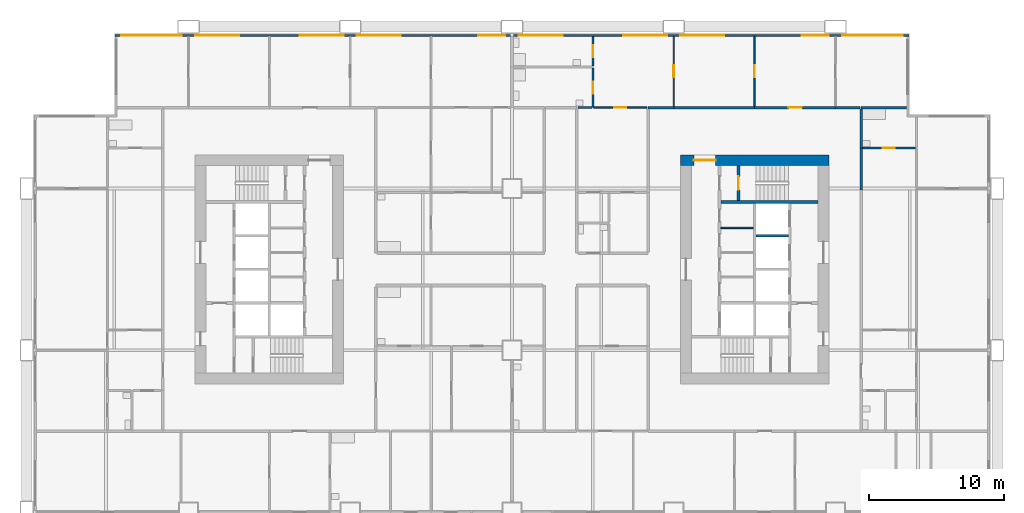
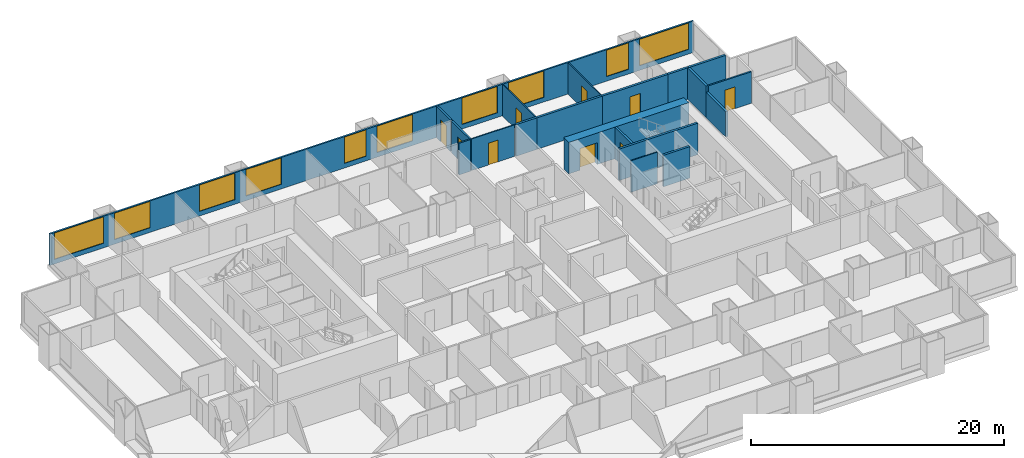
# One storey, part 9 of 13: 20 walls, 10 windows, 9 doors, 19 openings.
"""IFC4 building model written with IfcOpenShell, lengths in metres."""

from ifc_helpers import new_model, si_unit, direction, frame, frame_2d, origin, place, context, subcontext, project, spatial, rectangle, extrude, material, layer, layer_set, type_object, element, fill, save


model = new_model("IFC4")

# Units and contexts
model_context = context("Model", 3, precision=1e-05, world=origin(), true_north=direction((0.0, 1.0)))
body_context = subcontext(model_context, "Body", "Model", "MODEL_VIEW")
ifc_project = project(units=[si_unit("LENGTHUNIT", "METRE"), si_unit("AREAUNIT", "SQUARE_METRE"), si_unit("VOLUMEUNIT", "CUBIC_METRE"), si_unit("PLANEANGLEUNIT", "RADIAN"), si_unit("MASSUNIT", "GRAM", prefix="KILO")], contexts=[model_context])

# Site, building, storey
site_placement = place(None, origin())
site = spatial("IfcSite", under=ifc_project, at=site_placement, CompositionType="ELEMENT")
building_placement = place(site_placement, origin())
building = spatial("IfcBuilding", under=site, at=building_placement, Name="Kitamizu Gate Tower and Museum", CompositionType="ELEMENT")
storey_placement = place(building_placement, frame((0.0, 0.0, 78.300048828125)))
storey = spatial("IfcBuildingStorey", under=building, at=storey_placement, Name="L19", CompositionType="ELEMENT", Elevation=78.300048828125)

# Wall, opening, door
ifc_material_1 = material(Name="Concrete Fc60", Category="concrete")
ifc_layer_1 = layer(ifc_material_1, 0.800048828125)
ifc_layer_set_1 = layer_set([ifc_layer_1], Name="Concrete Fc60")
wall_type_1 = type_object("IfcWallType", Name="Core wall 800", PredefinedType="SHEAR", material=ifc_layer_set_1)
wall_1_placement = place(storey_placement, frame((59.5, 38.10009765625, 0.0), z_axis=(0.0, 0.0, 1.0), x_axis=(-1.0, 0.0, 0.0)))
wall_1 = element("IfcWall", 1, at=wall_1_placement, inside=storey, type_object=wall_type_1, Name="Core wall EN", PredefinedType="SHEAR", context=body_context, shape_type="SweptSolid", body=[
    extrude(rectangle(XDim=11.0, YDim=0.800048828125, at=frame_2d((5.5, 0.0))), origin(), (0.0, 0.0, 1.0), 3.050048828125),
])
opening_1_placement = place(wall_1_placement, frame((8.39990234375, 0.0, 0.0)))
opening_1 = element("IfcOpeningElement", 2, at=opening_1_placement, cuts=wall_1, Name="Opening L19-091", PredefinedType="OPENING", context=body_context, shape_type="SweptSolid", body=[
    extrude(rectangle(XDim=1.60009765625, YDim=2.10009765625, at=frame_2d((0.800048828125, 1.050048828125))), frame((0.0, 0.41015625, 0.0), z_axis=(0.0, -1.0, 0.0), x_axis=(1.0, 0.0, 0.0)), (0.0, 0.0, 1.0), 0.820068359375),
])
ifc_material_2 = material(Name="Timber door set", Category="wood")
door_type_1 = type_object("IfcDoorType", Name="Entrance door 1600", OperationType="DOUBLE_DOOR_SINGLE_SWING", PredefinedType="DOOR", material=ifc_material_2)
door_1_placement = place(opening_1_placement, origin())
door_1 = element("IfcDoor", 3, at=door_1_placement, inside=storey, type_object=door_type_1, Name="Lobby door L19-091", OperationType="DOUBLE_DOOR_SINGLE_SWING", OverallHeight=2.10009765625, OverallWidth=1.60009765625, PredefinedType="DOOR", context=body_context, shape_type="SweptSolid", body=[
    extrude(rectangle(XDim=1.60009765625, YDim=2.10009765625, at=frame_2d((0.800048828125, 1.050048828125))), frame((0.0, 0.02490234375, 0.0), z_axis=(0.0, -1.0, 0.0), x_axis=(1.0, 0.0, 0.0)), (0.0, 0.0, 1.0), 0.050048828125),
])
fill(opening_1, door_1)

# Wall
ifc_material_3 = material(Name="Gypsum board on galvanised stud")
ifc_layer_2 = layer(ifc_material_3, 0.10009765625)
ifc_layer_set_2 = layer_set([ifc_layer_2], Name="Gypsum board on galvanised stud")
wall_type_2 = type_object("IfcWallType", Name="Partition 100", PredefinedType="PARTITIONING", material=ifc_layer_set_2)
wall_2_placement = place(storey_placement, frame((53.89990234375, 33.074951171875, 0.0), z_axis=(0.0, 0.0, 1.0), x_axis=(-1.0, 0.0, 0.0)))
element("IfcWall", 4, at=wall_2_placement, inside=storey, type_object=wall_type_2, Name="Partition EPF3", PredefinedType="PARTITIONING", context=body_context, shape_type="SweptSolid", body=[
    extrude(rectangle(XDim=2.39990234375, YDim=0.10009765625, at=frame_2d((1.199951171875, 0.0))), origin(), (0.0, 0.0, 1.0), 3.050048828125),
])

# Wall, opening, door
ifc_material_4 = material(Name="Gypsum board on galvanised stud")
ifc_layer_3 = layer(ifc_material_4, 0.10009765625)
ifc_layer_set_3 = layer_set([ifc_layer_3], Name="Gypsum board on galvanised stud")
wall_type_3 = type_object("IfcWallType", Name="Partition 100 NOT RATED", PredefinedType="PARTITIONING", material=ifc_layer_set_3)
wall_3_placement = place(storey_placement, frame((48.0, 42.10009765625, 0.0), z_axis=(0.0, 0.0, 1.0), x_axis=(0.0, 1.0, 0.0)))
wall_3 = element("IfcWall", 5, at=wall_3_placement, inside=storey, type_object=wall_type_3, Name="Partition L19-176", PredefinedType="PARTITIONING", context=body_context, shape_type="SweptSolid", body=[
    extrude(rectangle(XDim=5.179931640625, YDim=0.10009765625, at=frame_2d((2.58984375, 0.0))), origin(), (0.0, 0.0, 1.0), 3.050048828125),
])
opening_2_placement = place(wall_3_placement, frame((2.139892578125, 0.0, 0.0)))
opening_2 = element("IfcOpeningElement", 6, at=opening_2_placement, cuts=wall_3, Name="Opening L19-064", PredefinedType="OPENING", context=body_context, shape_type="SweptSolid", body=[
    extrude(rectangle(XDim=0.89990234375, YDim=2.10009765625, at=frame_2d((0.449951171875, 1.050048828125))), frame((0.0, 0.06005859375, 0.0), z_axis=(0.0, -1.0, 0.0), x_axis=(1.0, 0.0, 0.0)), (0.0, 0.0, 1.0), 0.1201171875),
])
ifc_material_5 = material(Name="Timber door set", Category="wood")
door_type_2 = type_object("IfcDoorType", Name="Room door 900", OperationType="NOTDEFINED", PredefinedType="DOOR", material=ifc_material_5)
door_2_placement = place(opening_2_placement, origin())
door_2 = element("IfcDoor", 7, at=door_2_placement, inside=storey, type_object=door_type_2, Name="Door L19-064", OperationType="SINGLE_SWING_LEFT", OverallHeight=2.10009765625, OverallWidth=0.89990234375, PredefinedType="DOOR", context=body_context, shape_type="SweptSolid", body=[
    extrude(rectangle(XDim=0.89990234375, YDim=2.10009765625, at=frame_2d((0.449951171875, 1.050048828125))), frame((0.0, 0.02490234375, 0.0), z_axis=(0.0, -1.0, 0.0), x_axis=(1.0, 0.0, 0.0)), (0.0, 0.0, 1.0), 0.050048828125),
])
fill(opening_2, door_2)

wall_4_placement = place(storey_placement, frame((42.074951171875, 42.0, 0.0), z_axis=(0.0, 0.0, 1.0), x_axis=(1.0, 0.0, 0.0)))
wall_4 = element("IfcWall", 8, at=wall_4_placement, inside=storey, type_object=wall_type_3, Name="Partition L19-177", PredefinedType="PARTITIONING", context=body_context, shape_type="SweptSolid", body=[
    extrude(rectangle(XDim=3.925048828125, YDim=0.10009765625, at=frame_2d((1.96240234375, 0.0))), origin(), (0.0, 0.0, 1.0), 3.050048828125),
])
opening_3_placement = place(wall_4_placement, frame((1.512451171875, 0.0, 0.0)))
opening_3 = element("IfcOpeningElement", 9, at=opening_3_placement, cuts=wall_4, Name="Opening L19-067", PredefinedType="OPENING", context=body_context, shape_type="SweptSolid", body=[
    extrude(rectangle(XDim=0.89990234375, YDim=2.10009765625, at=frame_2d((0.449951171875, 1.050048828125))), frame((0.0, 0.06005859375, 0.0), z_axis=(0.0, -1.0, 0.0), x_axis=(1.0, 0.0, 0.0)), (0.0, 0.0, 1.0), 0.1201171875),
])
door_3_placement = place(opening_3_placement, origin())
door_3 = element("IfcDoor", 10, at=door_3_placement, inside=storey, type_object=door_type_2, Name="Door L19-067", OperationType="SINGLE_SWING_RIGHT", OverallHeight=2.10009765625, OverallWidth=0.89990234375, PredefinedType="DOOR", context=body_context, shape_type="SweptSolid", body=[
    extrude(rectangle(XDim=0.89990234375, YDim=2.10009765625, at=frame_2d((0.449951171875, 1.050048828125))), frame((0.0, 0.02490234375, 0.0), z_axis=(0.0, -1.0, 0.0), x_axis=(1.0, 0.0, 0.0)), (0.0, 0.0, 1.0), 0.050048828125),
])
fill(opening_3, door_3)

wall_5_placement = place(storey_placement, frame((54.0, 42.10009765625, 0.0), z_axis=(0.0, 0.0, 1.0), x_axis=(0.0, 1.0, 0.0)))
wall_5 = element("IfcWall", 11, at=wall_5_placement, inside=storey, type_object=wall_type_3, Name="Partition L19-179", PredefinedType="PARTITIONING", context=body_context, shape_type="SweptSolid", body=[
    extrude(rectangle(XDim=5.179931640625, YDim=0.10009765625, at=frame_2d((2.58984375, 0.0))), origin(), (0.0, 0.0, 1.0), 3.050048828125),
])
opening_4_placement = place(wall_5_placement, frame((2.139892578125, 0.0, 0.0)))
opening_4 = element("IfcOpeningElement", 12, at=opening_4_placement, cuts=wall_5, Name="Opening L19-062", PredefinedType="OPENING", context=body_context, shape_type="SweptSolid", body=[
    extrude(rectangle(XDim=0.89990234375, YDim=2.10009765625, at=frame_2d((0.449951171875, 1.050048828125))), frame((0.0, 0.06005859375, 0.0), z_axis=(0.0, -1.0, 0.0), x_axis=(1.0, 0.0, 0.0)), (0.0, 0.0, 1.0), 0.1201171875),
])
door_4_placement = place(opening_4_placement, origin())
door_4 = element("IfcDoor", 13, at=door_4_placement, inside=storey, type_object=door_type_2, Name="Door L19-062", OperationType="SINGLE_SWING_LEFT", OverallHeight=2.10009765625, OverallWidth=0.89990234375, PredefinedType="DOOR", context=body_context, shape_type="SweptSolid", body=[
    extrude(rectangle(XDim=0.89990234375, YDim=2.10009765625, at=frame_2d((0.449951171875, 1.050048828125))), frame((0.0, 0.02490234375, 0.0), z_axis=(0.0, -1.0, 0.0), x_axis=(1.0, 0.0, 0.0)), (0.0, 0.0, 1.0), 0.050048828125),
])
fill(opening_4, door_4)

ifc_material_6 = material(Name="Gypsum board on galvanised stud")
ifc_layer_4 = layer(ifc_material_6, 0.14990234375)
ifc_layer_set_4 = layer_set([ifc_layer_4], Name="Gypsum board on galvanised stud")
wall_type_4 = type_object("IfcWallType", Name="Partition 150", PredefinedType="PARTITIONING", material=ifc_layer_set_4)
wall_6_placement = place(storey_placement, frame((65.925048828125, 39.0, 0.0), z_axis=(0.0, 0.0, 1.0), x_axis=(-1.0, 0.0, 0.0)))
wall_6 = element("IfcWall", 14, at=wall_6_placement, inside=storey, type_object=wall_type_4, Name="Partition L19-135", PredefinedType="PARTITIONING", context=body_context, shape_type="SweptSolid", body=[
    extrude(rectangle(XDim=3.925048828125, YDim=0.14990234375, at=frame_2d((1.96240234375, 0.0))), origin(), (0.0, 0.0, 1.0), 3.050048828125),
])
opening_5_placement = place(wall_6_placement, frame((1.512451171875, 0.0, 0.0)))
opening_5 = element("IfcOpeningElement", 15, at=opening_5_placement, cuts=wall_6, Name="Opening L19-050", PredefinedType="OPENING", context=body_context, shape_type="SweptSolid", body=[
    extrude(rectangle(XDim=0.89990234375, YDim=2.10009765625, at=frame_2d((0.449951171875, 1.050048828125))), frame((0.0, 0.0849609375, 0.0), z_axis=(0.0, -1.0, 0.0), x_axis=(1.0, 0.0, 0.0)), (0.0, 0.0, 1.0), 0.169921875),
])
ifc_material_7 = material(Name="Timber door set", Category="wood")
door_type_3 = type_object("IfcDoorType", Name="Bathroom door 900", OperationType="NOTDEFINED", PredefinedType="DOOR", material=ifc_material_7)
door_5_placement = place(opening_5_placement, frame((0.89990234375, 0.0, 0.0), x_axis=(-1.0, 0.0, 0.0)))
door_5 = element("IfcDoor", 16, at=door_5_placement, inside=storey, type_object=door_type_3, Name="Bathroom door L19-050", OperationType="SINGLE_SWING_LEFT", OverallHeight=2.10009765625, OverallWidth=0.89990234375, PredefinedType="DOOR", context=body_context, shape_type="SweptSolid", body=[
    extrude(rectangle(XDim=0.89990234375, YDim=2.10009765625, at=frame_2d((0.449951171875, 1.050048828125))), frame((0.0, 0.02490234375, 0.0), z_axis=(0.0, -1.0, 0.0), x_axis=(1.0, 0.0, 0.0)), (0.0, 0.0, 1.0), 0.050048828125),
])
fill(opening_5, door_5)

wall_7_placement = place(storey_placement, frame((42.0, 42.0, 0.0), z_axis=(0.0, 0.0, 1.0), x_axis=(0.0, 1.0, 0.0)))
wall_7 = element("IfcWall", 17, at=wall_7_placement, inside=storey, type_object=wall_type_4, Name="Partition L19-172", PredefinedType="PARTITIONING", context=body_context, shape_type="SweptSolid", body=[
    extrude(rectangle(XDim=2.925048828125, YDim=0.14990234375, at=frame_2d((1.46240234375, 0.0))), origin(), (0.0, 0.0, 1.0), 3.050048828125),
])
opening_6_placement = place(wall_7_placement, frame((1.012451171875, 0.0, 0.0)))
opening_6 = element("IfcOpeningElement", 18, at=opening_6_placement, cuts=wall_7, Name="Opening L19-065", PredefinedType="OPENING", context=body_context, shape_type="SweptSolid", body=[
    extrude(rectangle(XDim=0.89990234375, YDim=2.10009765625, at=frame_2d((0.449951171875, 1.050048828125))), frame((0.0, 0.0849609375, 0.0), z_axis=(0.0, -1.0, 0.0), x_axis=(1.0, 0.0, 0.0)), (0.0, 0.0, 1.0), 0.169921875),
])
door_6_placement = place(opening_6_placement, origin())
door_6 = element("IfcDoor", 19, at=door_6_placement, inside=storey, type_object=door_type_3, Name="Bathroom door L19-065", OperationType="SINGLE_SWING_RIGHT", OverallHeight=2.10009765625, OverallWidth=0.89990234375, PredefinedType="DOOR", context=body_context, shape_type="SweptSolid", body=[
    extrude(rectangle(XDim=0.89990234375, YDim=2.10009765625, at=frame_2d((0.449951171875, 1.050048828125))), frame((0.0, 0.02490234375, 0.0), z_axis=(0.0, -1.0, 0.0), x_axis=(1.0, 0.0, 0.0)), (0.0, 0.0, 1.0), 0.050048828125),
])
fill(opening_6, door_6)

# Wall
wall_8_placement = place(storey_placement, frame((40.89990234375, 42.0, 0.0), z_axis=(0.0, 0.0, 1.0), x_axis=(1.0, 0.0, 0.0)))
element("IfcWall", 20, at=wall_8_placement, inside=storey, type_object=wall_type_4, Name="Partition L19-173", PredefinedType="PARTITIONING", context=body_context, shape_type="SweptSolid", body=[
    extrude(rectangle(XDim=1.025146484375, YDim=0.14990234375, at=frame_2d((0.5126953125, 0.0))), origin(), (0.0, 0.0, 1.0), 3.050048828125),
])

# Wall, opening, door
wall_9_placement = place(storey_placement, frame((42.0, 45.074951171875, 0.0), z_axis=(0.0, 0.0, 1.0), x_axis=(0.0, 1.0, 0.0)))
wall_9 = element("IfcWall", 21, at=wall_9_placement, inside=storey, type_object=wall_type_4, Name="Partition L19-175", PredefinedType="PARTITIONING", context=body_context, shape_type="SweptSolid", body=[
    extrude(rectangle(XDim=2.205078125, YDim=0.14990234375, at=frame_2d((1.1025390625, 0.0))), origin(), (0.0, 0.0, 1.0), 3.050048828125),
])
opening_7_placement = place(wall_9_placement, frame((0.652587890625, 0.0, 0.0)))
opening_7 = element("IfcOpeningElement", 22, at=opening_7_placement, cuts=wall_9, Name="Opening L19-066", PredefinedType="OPENING", context=body_context, shape_type="SweptSolid", body=[
    extrude(rectangle(XDim=0.89990234375, YDim=2.10009765625, at=frame_2d((0.449951171875, 1.050048828125))), frame((0.0, 0.0849609375, 0.0), z_axis=(0.0, -1.0, 0.0), x_axis=(1.0, 0.0, 0.0)), (0.0, 0.0, 1.0), 0.169921875),
])
door_7_placement = place(opening_7_placement, origin())
door_7 = element("IfcDoor", 23, at=door_7_placement, inside=storey, type_object=door_type_3, Name="Bathroom door L19-066", OperationType="SINGLE_SWING_LEFT", OverallHeight=2.10009765625, OverallWidth=0.89990234375, PredefinedType="DOOR", context=body_context, shape_type="SweptSolid", body=[
    extrude(rectangle(XDim=0.89990234375, YDim=2.10009765625, at=frame_2d((0.449951171875, 1.050048828125))), frame((0.0, 0.02490234375, 0.0), z_axis=(0.0, -1.0, 0.0), x_axis=(1.0, 0.0, 0.0)), (0.0, 0.0, 1.0), 0.050048828125),
])
fill(opening_7, door_7)

# Walls
ifc_material_8 = material(Name="Gypsum board on galvanised stud")
ifc_layer_5 = layer(ifc_material_8, 0.199951171875)
ifc_layer_set_5 = layer_set([ifc_layer_5], Name="Gypsum board on galvanised stud")
wall_type_5 = type_object("IfcWallType", Name="Partition 200", PredefinedType="PARTITIONING", material=ifc_layer_set_5)
wall_10_placement = place(storey_placement, frame((61.89990234375, 39.0, 0.0), z_axis=(0.0, 0.0, 1.0), x_axis=(0.0, -1.0, 0.0)))
element("IfcWall", 24, at=wall_10_placement, inside=storey, type_object=wall_type_5, Name="Partition L19-136", PredefinedType="PARTITIONING", context=body_context, shape_type="SweptSolid", body=[
    extrude(rectangle(XDim=3.10009765625, YDim=0.199951171875, at=frame_2d((1.550048828125, 0.0))), origin(), (0.0, 0.0, 1.0), 2.449951171875),
])
wall_11_placement = place(storey_placement, frame((65.280029296875, 42.0, 0.0), z_axis=(0.0, 0.0, 1.0), x_axis=(-1.0, 0.0, 0.0)))
element("IfcWall", 25, at=wall_11_placement, inside=storey, type_object=wall_type_5, Name="Partition L19-138", PredefinedType="PARTITIONING", context=body_context, shape_type="SweptSolid", body=[
    extrude(rectangle(XDim=3.380126953125, YDim=0.199951171875, at=frame_2d((1.68994140625, 0.0))), origin(), (0.0, 0.0, 1.0), 3.050048828125),
])
wall_12_placement = place(storey_placement, frame((61.89990234375, 41.89990234375, 0.0), z_axis=(0.0, 0.0, 1.0), x_axis=(0.0, -1.0, 0.0)))
element("IfcWall", 26, at=wall_12_placement, inside=storey, type_object=wall_type_5, Name="Partition L19-139", PredefinedType="PARTITIONING", context=body_context, shape_type="SweptSolid", body=[
    extrude(rectangle(XDim=2.89990234375, YDim=0.199951171875, at=frame_2d((1.449951171875, 0.0))), origin(), (0.0, 0.0, 1.0), 3.050048828125),
])
wall_13_placement = place(storey_placement, frame((46.10009765625, 42.0, 0.0), z_axis=(0.0, 0.0, 1.0), x_axis=(1.0, 0.0, 0.0)))
element("IfcWall", 27, at=wall_13_placement, inside=storey, type_object=wall_type_5, Name="Partition L19-178", PredefinedType="PARTITIONING", context=body_context, shape_type="SweptSolid", body=[
    extrude(rectangle(XDim=1.89990234375, YDim=0.199951171875, at=frame_2d((0.949951171875, 0.0))), origin(), (0.0, 0.0, 1.0), 3.050048828125),
])
wall_14_placement = place(storey_placement, frame((48.0, 42.0, 0.0), z_axis=(0.0, 0.0, 1.0), x_axis=(1.0, 0.0, 0.0)))
element("IfcWall", 28, at=wall_14_placement, inside=storey, type_object=wall_type_5, Name="Partition L19-180", PredefinedType="PARTITIONING", context=body_context, shape_type="SweptSolid", body=[
    extrude(rectangle(XDim=6.0, YDim=0.199951171875, at=frame_2d((3.0, 0.0))), origin(), (0.0, 0.0, 1.0), 3.050048828125),
])

# Wall, opening, door
wall_15_placement = place(storey_placement, frame((54.0, 42.0, 0.0), z_axis=(0.0, 0.0, 1.0), x_axis=(1.0, 0.0, 0.0)))
wall_15 = element("IfcWall", 29, at=wall_15_placement, inside=storey, type_object=wall_type_5, Name="Partition L19-182", PredefinedType="PARTITIONING", context=body_context, shape_type="SweptSolid", body=[
    extrude(rectangle(XDim=6.0, YDim=0.199951171875, at=frame_2d((3.0, 0.0))), origin(), (0.0, 0.0, 1.0), 3.050048828125),
])
opening_8_placement = place(wall_15_placement, frame((2.5, 0.0, 0.0)))
opening_8 = element("IfcOpeningElement", 30, at=opening_8_placement, cuts=wall_15, Name="Opening L19-061", PredefinedType="OPENING", context=body_context, shape_type="SweptSolid", body=[
    extrude(rectangle(XDim=1.0, YDim=2.10009765625, at=frame_2d((0.5, 1.050048828125))), frame((0.0, 0.10986328125, 0.0), z_axis=(0.0, -1.0, 0.0), x_axis=(1.0, 0.0, 0.0)), (0.0, 0.0, 1.0), 0.219970703125),
])
ifc_material_9 = material(Name="Timber door set", Category="wood")
door_type_4 = type_object("IfcDoorType", Name="Flat entrance door 1000", OperationType="NOTDEFINED", PredefinedType="DOOR", material=ifc_material_9)
door_8_placement = place(opening_8_placement, origin())
door_8 = element("IfcDoor", 31, at=door_8_placement, inside=storey, type_object=door_type_4, Name="Flat entrance door L19-061", OperationType="SINGLE_SWING_RIGHT", OverallHeight=2.10009765625, OverallWidth=1.0, PredefinedType="DOOR", context=body_context, shape_type="SweptSolid", body=[
    extrude(rectangle(XDim=1.0, YDim=2.10009765625, at=frame_2d((0.5, 1.050048828125))), frame((0.0, 0.02490234375, 0.0), z_axis=(0.0, -1.0, 0.0), x_axis=(1.0, 0.0, 0.0)), (0.0, 0.0, 1.0), 0.050048828125),
])
fill(opening_8, door_8)

# Walls
wall_16_placement = place(storey_placement, frame((60.0, 42.0, 0.0), z_axis=(0.0, 0.0, 1.0), x_axis=(1.0, 0.0, 0.0)))
element("IfcWall", 32, at=wall_16_placement, inside=storey, type_object=wall_type_5, Name="Partition L19-183", PredefinedType="PARTITIONING", context=body_context, shape_type="SweptSolid", body=[
    extrude(rectangle(XDim=1.800048828125, YDim=0.199951171875, at=frame_2d((0.89990234375, 0.0))), origin(), (0.0, 0.0, 1.0), 3.050048828125),
])
ifc_material_10 = material(Name="Concrete Fc42", Category="concrete")
ifc_layer_6 = layer(ifc_material_10, 0.199951171875)
ifc_layer_set_6 = layer_set([ifc_layer_6], Name="Concrete Fc42")
wall_type_6 = type_object("IfcWallType", Name="Shaft wall 200", PredefinedType="SOLIDWALL", material=ifc_layer_set_6)
wall_17_placement = place(storey_placement, frame((58.699951171875, 35.0, 0.0), z_axis=(0.0, 0.0, 1.0), x_axis=(-1.0, 0.0, 0.0)))
element("IfcWall", 33, at=wall_17_placement, inside=storey, type_object=wall_type_6, Name="Shaft wall ENB", PredefinedType="SOLIDWALL", context=body_context, shape_type="SweptSolid", body=[
    extrude(rectangle(XDim=7.199951171875, YDim=0.199951171875, at=frame_2d((3.60009765625, 0.0))), origin(), (0.0, 0.0, 1.0), 3.050048828125),
])

# Wall, opening, door
wall_18_placement = place(storey_placement, frame((52.800048828125, 35.10009765625, 0.0), z_axis=(0.0, 0.0, 1.0), x_axis=(0.0, 1.0, 0.0)))
wall_18 = element("IfcWall", 34, at=wall_18_placement, inside=storey, type_object=wall_type_6, Name="Shaft wall ENZ", PredefinedType="SOLIDWALL", context=body_context, shape_type="SweptSolid", body=[
    extrude(rectangle(XDim=2.599853515625, YDim=0.199951171875, at=frame_2d((1.2998046875, 0.0))), origin(), (0.0, 0.0, 1.0), 3.050048828125),
])
opening_9_placement = place(wall_18_placement, frame((0.800048828125, 0.0, 0.0)))
opening_9 = element("IfcOpeningElement", 35, at=opening_9_placement, cuts=wall_18, Name="Opening L19-087", PredefinedType="OPENING", context=body_context, shape_type="SweptSolid", body=[
    extrude(rectangle(XDim=1.0, YDim=2.10009765625, at=frame_2d((0.5, 1.050048828125))), frame((0.0, 0.10986328125, 0.0), z_axis=(0.0, -1.0, 0.0), x_axis=(1.0, 0.0, 0.0)), (0.0, 0.0, 1.0), 0.219970703125),
])
ifc_material_11 = material(Name="Hollow metal door set")
door_type_5 = type_object("IfcDoorType", Name="Fire door 1000", OperationType="NOTDEFINED", PredefinedType="DOOR", material=ifc_material_11)
door_9_placement = place(opening_9_placement, frame((1.0, 0.0, 0.0), x_axis=(-1.0, 0.0, 0.0)))
door_9 = element("IfcDoor", 36, at=door_9_placement, inside=storey, type_object=door_type_5, Name="Stair door L19-087", OperationType="SINGLE_SWING_RIGHT", OverallHeight=2.10009765625, OverallWidth=1.0, PredefinedType="DOOR", context=body_context, shape_type="SweptSolid", body=[
    extrude(rectangle(XDim=1.0, YDim=2.10009765625, at=frame_2d((0.5, 1.050048828125))), frame((0.0, 0.02490234375, 0.0), z_axis=(0.0, -1.0, 0.0), x_axis=(1.0, 0.0, 0.0)), (0.0, 0.0, 1.0), 0.050048828125),
])
fill(opening_9, door_9)

# Wall
wall_19_placement = place(storey_placement, frame((56.5, 32.5, 0.0), z_axis=(0.0, 0.0, 1.0), x_axis=(-1.0, 0.0, 0.0)))
element("IfcWall", 37, at=wall_19_placement, inside=storey, type_object=wall_type_6, Name="Shaft wall EDVW2", PredefinedType="SOLIDWALL", context=body_context, shape_type="SweptSolid", body=[
    extrude(rectangle(XDim=2.39990234375, YDim=0.199951171875, at=frame_2d((1.199951171875, 0.0))), origin(), (0.0, 0.0, 1.0), 3.050048828125),
])

# Wall, openings, windows
ifc_material_12 = material(Name="Bronze anodised aluminium frame with insulated spandrel and tinted glass", Category="aluminium")
ifc_layer_7 = layer(ifc_material_12, 0.14990234375)
ifc_layer_set_7 = layer_set([ifc_layer_7], Name="Bronze anodised aluminium frame with insulated spandrel and tinted glass")
wall_type_7 = type_object("IfcWallType", Name="WINDOW WALL 150 BRONZE FRAME EI 30", PredefinedType="ELEMENTEDWALL", material=ifc_layer_set_7)
wall_20_placement = place(storey_placement, frame((6.56005859375, 47.364990234375, 0.0), z_axis=(0.0, 0.0, 1.0), x_axis=(1.0, 0.0, 0.0)))
wall_20 = element("IfcWall", 38, at=wall_20_placement, inside=storey, type_object=wall_type_7, Name="Window wall north L19", PredefinedType="ELEMENTEDWALL", context=body_context, shape_type="SweptSolid", body=[
    extrude(rectangle(XDim=58.8798828125, YDim=0.14990234375, at=frame_2d((29.43994140625, 0.0))), origin(), (0.0, 0.0, 1.0), 3.050048828125),
])
opening_10_placement = place(wall_20_placement, frame((0.43994140625, 0.0, 0.449951171875)))
opening_10 = element("IfcOpeningElement", 39, at=opening_10_placement, cuts=wall_20, Name="Opening W15", PredefinedType="OPENING", context=body_context, shape_type="SweptSolid", body=[
    extrude(rectangle(XDim=4.5, YDim=2.550048828125, at=frame_2d((2.25, 1.27490234375))), frame((0.0, 0.0849609375, 0.0), z_axis=(0.0, -1.0, 0.0), x_axis=(1.0, 0.0, 0.0)), (0.0, 0.0, 1.0), 0.169921875),
])
opening_11_placement = place(wall_20_placement, frame((5.93994140625, 0.0, 0.449951171875)))
opening_11 = element("IfcOpeningElement", 40, at=opening_11_placement, cuts=wall_20, Name="Opening W34", PredefinedType="OPENING", context=body_context, shape_type="SweptSolid", body=[
    extrude(rectangle(XDim=3.25, YDim=2.550048828125, at=frame_2d((1.625, 1.27490234375))), frame((0.0, 0.0849609375, 0.0), z_axis=(0.0, -1.0, 0.0), x_axis=(1.0, 0.0, 0.0)), (0.0, 0.0, 1.0), 0.169921875),
])
opening_12_placement = place(wall_20_placement, frame((13.68994140625, 0.0, 0.449951171875)))
opening_12 = element("IfcOpeningElement", 41, at=opening_12_placement, cuts=wall_20, Name="Opening W34", PredefinedType="OPENING", context=body_context, shape_type="SweptSolid", body=[
    extrude(rectangle(XDim=3.25, YDim=2.550048828125, at=frame_2d((1.625, 1.27490234375))), frame((0.0, 0.0849609375, 0.0), z_axis=(0.0, -1.0, 0.0), x_axis=(1.0, 0.0, 0.0)), (0.0, 0.0, 1.0), 0.169921875),
])
opening_13_placement = place(wall_20_placement, frame((17.93994140625, 0.0, 0.449951171875)))
opening_13 = element("IfcOpeningElement", 42, at=opening_13_placement, cuts=wall_20, Name="Opening W34", PredefinedType="OPENING", context=body_context, shape_type="SweptSolid", body=[
    extrude(rectangle(XDim=3.25, YDim=2.550048828125, at=frame_2d((1.625, 1.27490234375))), frame((0.0, 0.0849609375, 0.0), z_axis=(0.0, -1.0, 0.0), x_axis=(1.0, 0.0, 0.0)), (0.0, 0.0, 1.0), 0.169921875),
])
opening_14_placement = place(wall_20_placement, frame((26.93994140625, 0.0, 0.449951171875)))
opening_14 = element("IfcOpeningElement", 43, at=opening_14_placement, cuts=wall_20, Name="Opening W2", PredefinedType="OPENING", context=body_context, shape_type="SweptSolid", body=[
    extrude(rectangle(XDim=2.0, YDim=2.550048828125, at=frame_2d((1.0, 1.27490234375))), frame((0.0, 0.0849609375, 0.0), z_axis=(0.0, -1.0, 0.0), x_axis=(1.0, 0.0, 0.0)), (0.0, 0.0, 1.0), 0.169921875),
])
opening_15_placement = place(wall_20_placement, frame((29.93994140625, 0.0, 0.449951171875)))
opening_15 = element("IfcOpeningElement", 44, at=opening_15_placement, cuts=wall_20, Name="Opening W34", PredefinedType="OPENING", context=body_context, shape_type="SweptSolid", body=[
    extrude(rectangle(XDim=3.25, YDim=2.550048828125, at=frame_2d((1.625, 1.27490234375))), frame((0.0, 0.0849609375, 0.0), z_axis=(0.0, -1.0, 0.0), x_axis=(1.0, 0.0, 0.0)), (0.0, 0.0, 1.0), 0.169921875),
])
opening_16_placement = place(wall_20_placement, frame((37.68994140625, 0.0, 0.449951171875)))
opening_16 = element("IfcOpeningElement", 45, at=opening_16_placement, cuts=wall_20, Name="Opening W34", PredefinedType="OPENING", context=body_context, shape_type="SweptSolid", body=[
    extrude(rectangle(XDim=3.25, YDim=2.550048828125, at=frame_2d((1.625, 1.27490234375))), frame((0.0, 0.0849609375, 0.0), z_axis=(0.0, -1.0, 0.0), x_axis=(1.0, 0.0, 0.0)), (0.0, 0.0, 1.0), 0.169921875),
])
opening_17_placement = place(wall_20_placement, frame((41.93994140625, 0.0, 0.449951171875)))
opening_17 = element("IfcOpeningElement", 46, at=opening_17_placement, cuts=wall_20, Name="Opening W34", PredefinedType="OPENING", context=body_context, shape_type="SweptSolid", body=[
    extrude(rectangle(XDim=3.25, YDim=2.550048828125, at=frame_2d((1.625, 1.27490234375))), frame((0.0, 0.0849609375, 0.0), z_axis=(0.0, -1.0, 0.0), x_axis=(1.0, 0.0, 0.0)), (0.0, 0.0, 1.0), 0.169921875),
])
opening_18_placement = place(wall_20_placement, frame((50.93994140625, 0.0, 0.449951171875)))
opening_18 = element("IfcOpeningElement", 47, at=opening_18_placement, cuts=wall_20, Name="Opening W2", PredefinedType="OPENING", context=body_context, shape_type="SweptSolid", body=[
    extrude(rectangle(XDim=2.0, YDim=2.550048828125, at=frame_2d((1.0, 1.27490234375))), frame((0.0, 0.0849609375, 0.0), z_axis=(0.0, -1.0, 0.0), x_axis=(1.0, 0.0, 0.0)), (0.0, 0.0, 1.0), 0.169921875),
])
opening_19_placement = place(wall_20_placement, frame((53.93994140625, 0.0, 0.449951171875)))
opening_19 = element("IfcOpeningElement", 48, at=opening_19_placement, cuts=wall_20, Name="Opening W15", PredefinedType="OPENING", context=body_context, shape_type="SweptSolid", body=[
    extrude(rectangle(XDim=4.5, YDim=2.550048828125, at=frame_2d((2.25, 1.27490234375))), frame((0.0, 0.0849609375, 0.0), z_axis=(0.0, -1.0, 0.0), x_axis=(1.0, 0.0, 0.0)), (0.0, 0.0, 1.0), 0.169921875),
])
ifc_material_13 = material(Name="Bronze anodised aluminium frame, tinted triple glazing", Category="aluminium")
window_type_1 = type_object("IfcWindowType", Name="WINDOW 2000 x 2550 SILL 450", PartitioningType="SINGLE_PANEL", PredefinedType="WINDOW", material=ifc_material_13)
window_1_placement = place(opening_14_placement, origin())
window_1 = element("IfcWindow", 49, at=window_1_placement, inside=storey, type_object=window_type_1, Name="Window W2 L19", OverallHeight=2.550048828125, OverallWidth=2.0, PartitioningType="SINGLE_PANEL", PredefinedType="WINDOW", context=body_context, shape_type="SweptSolid", body=[
    extrude(rectangle(XDim=2.0, YDim=2.550048828125, at=frame_2d((1.0, 1.27490234375))), frame((0.0, 0.030029296875, 0.0), z_axis=(0.0, -1.0, 0.0), x_axis=(1.0, 0.0, 0.0)), (0.0, 0.0, 1.0), 0.06005859375),
])
fill(opening_14, window_1)
window_2_placement = place(opening_18_placement, origin())
window_2 = element("IfcWindow", 50, at=window_2_placement, inside=storey, type_object=window_type_1, Name="Window W2 L19", OverallHeight=2.550048828125, OverallWidth=2.0, PartitioningType="SINGLE_PANEL", PredefinedType="WINDOW", context=body_context, shape_type="SweptSolid", body=[
    extrude(rectangle(XDim=2.0, YDim=2.550048828125, at=frame_2d((1.0, 1.27490234375))), frame((0.0, 0.030029296875, 0.0), z_axis=(0.0, -1.0, 0.0), x_axis=(1.0, 0.0, 0.0)), (0.0, 0.0, 1.0), 0.06005859375),
])
fill(opening_18, window_2)
ifc_material_14 = material(Name="Bronze anodised aluminium frame, tinted triple glazing", Category="aluminium")
window_type_2 = type_object("IfcWindowType", Name="WINDOW 3250 x 2550 SILL 450", PartitioningType="SINGLE_PANEL", PredefinedType="WINDOW", material=ifc_material_14)
window_3_placement = place(opening_11_placement, origin())
window_3 = element("IfcWindow", 51, at=window_3_placement, inside=storey, type_object=window_type_2, Name="Window W34 L19", OverallHeight=2.550048828125, OverallWidth=3.25, PartitioningType="SINGLE_PANEL", PredefinedType="WINDOW", context=body_context, shape_type="SweptSolid", body=[
    extrude(rectangle(XDim=3.25, YDim=2.550048828125, at=frame_2d((1.625, 1.27490234375))), frame((0.0, 0.030029296875, 0.0), z_axis=(0.0, -1.0, 0.0), x_axis=(1.0, 0.0, 0.0)), (0.0, 0.0, 1.0), 0.06005859375),
])
fill(opening_11, window_3)
window_4_placement = place(opening_12_placement, origin())
window_4 = element("IfcWindow", 52, at=window_4_placement, inside=storey, type_object=window_type_2, Name="Window W34 L19", OverallHeight=2.550048828125, OverallWidth=3.25, PartitioningType="SINGLE_PANEL", PredefinedType="WINDOW", context=body_context, shape_type="SweptSolid", body=[
    extrude(rectangle(XDim=3.25, YDim=2.550048828125, at=frame_2d((1.625, 1.27490234375))), frame((0.0, 0.030029296875, 0.0), z_axis=(0.0, -1.0, 0.0), x_axis=(1.0, 0.0, 0.0)), (0.0, 0.0, 1.0), 0.06005859375),
])
fill(opening_12, window_4)
window_5_placement = place(opening_13_placement, origin())
window_5 = element("IfcWindow", 53, at=window_5_placement, inside=storey, type_object=window_type_2, Name="Window W34 L19", OverallHeight=2.550048828125, OverallWidth=3.25, PartitioningType="SINGLE_PANEL", PredefinedType="WINDOW", context=body_context, shape_type="SweptSolid", body=[
    extrude(rectangle(XDim=3.25, YDim=2.550048828125, at=frame_2d((1.625, 1.27490234375))), frame((0.0, 0.030029296875, 0.0), z_axis=(0.0, -1.0, 0.0), x_axis=(1.0, 0.0, 0.0)), (0.0, 0.0, 1.0), 0.06005859375),
])
fill(opening_13, window_5)
window_6_placement = place(opening_15_placement, origin())
window_6 = element("IfcWindow", 54, at=window_6_placement, inside=storey, type_object=window_type_2, Name="Window W34 L19", OverallHeight=2.550048828125, OverallWidth=3.25, PartitioningType="SINGLE_PANEL", PredefinedType="WINDOW", context=body_context, shape_type="SweptSolid", body=[
    extrude(rectangle(XDim=3.25, YDim=2.550048828125, at=frame_2d((1.625, 1.27490234375))), frame((0.0, 0.030029296875, 0.0), z_axis=(0.0, -1.0, 0.0), x_axis=(1.0, 0.0, 0.0)), (0.0, 0.0, 1.0), 0.06005859375),
])
fill(opening_15, window_6)
window_7_placement = place(opening_16_placement, origin())
window_7 = element("IfcWindow", 55, at=window_7_placement, inside=storey, type_object=window_type_2, Name="Window W34 L19", OverallHeight=2.550048828125, OverallWidth=3.25, PartitioningType="SINGLE_PANEL", PredefinedType="WINDOW", context=body_context, shape_type="SweptSolid", body=[
    extrude(rectangle(XDim=3.25, YDim=2.550048828125, at=frame_2d((1.625, 1.27490234375))), frame((0.0, 0.030029296875, 0.0), z_axis=(0.0, -1.0, 0.0), x_axis=(1.0, 0.0, 0.0)), (0.0, 0.0, 1.0), 0.06005859375),
])
fill(opening_16, window_7)
window_8_placement = place(opening_17_placement, origin())
window_8 = element("IfcWindow", 56, at=window_8_placement, inside=storey, type_object=window_type_2, Name="Window W34 L19", OverallHeight=2.550048828125, OverallWidth=3.25, PartitioningType="SINGLE_PANEL", PredefinedType="WINDOW", context=body_context, shape_type="SweptSolid", body=[
    extrude(rectangle(XDim=3.25, YDim=2.550048828125, at=frame_2d((1.625, 1.27490234375))), frame((0.0, 0.030029296875, 0.0), z_axis=(0.0, -1.0, 0.0), x_axis=(1.0, 0.0, 0.0)), (0.0, 0.0, 1.0), 0.06005859375),
])
fill(opening_17, window_8)
ifc_material_15 = material(Name="Bronze anodised aluminium frame, tinted triple glazing", Category="aluminium")
window_type_3 = type_object("IfcWindowType", Name="WINDOW 4500 x 2550 SILL 450", PartitioningType="SINGLE_PANEL", PredefinedType="WINDOW", material=ifc_material_15)
window_9_placement = place(opening_10_placement, origin())
window_9 = element("IfcWindow", 57, at=window_9_placement, inside=storey, type_object=window_type_3, Name="Window W15 L19", OverallHeight=2.550048828125, OverallWidth=4.5, PartitioningType="SINGLE_PANEL", PredefinedType="WINDOW", context=body_context, shape_type="SweptSolid", body=[
    extrude(rectangle(XDim=4.5, YDim=2.550048828125, at=frame_2d((2.25, 1.27490234375))), frame((0.0, 0.030029296875, 0.0), z_axis=(0.0, -1.0, 0.0), x_axis=(1.0, 0.0, 0.0)), (0.0, 0.0, 1.0), 0.06005859375),
])
fill(opening_10, window_9)
window_10_placement = place(opening_19_placement, origin())
window_10 = element("IfcWindow", 58, at=window_10_placement, inside=storey, type_object=window_type_3, Name="Window W15 L19", OverallHeight=2.550048828125, OverallWidth=4.5, PartitioningType="SINGLE_PANEL", PredefinedType="WINDOW", context=body_context, shape_type="SweptSolid", body=[
    extrude(rectangle(XDim=4.5, YDim=2.550048828125, at=frame_2d((2.25, 1.27490234375))), frame((0.0, 0.030029296875, 0.0), z_axis=(0.0, -1.0, 0.0), x_axis=(1.0, 0.0, 0.0)), (0.0, 0.0, 1.0), 0.06005859375),
])
fill(opening_19, window_10)

save(model, "model.ifc")
